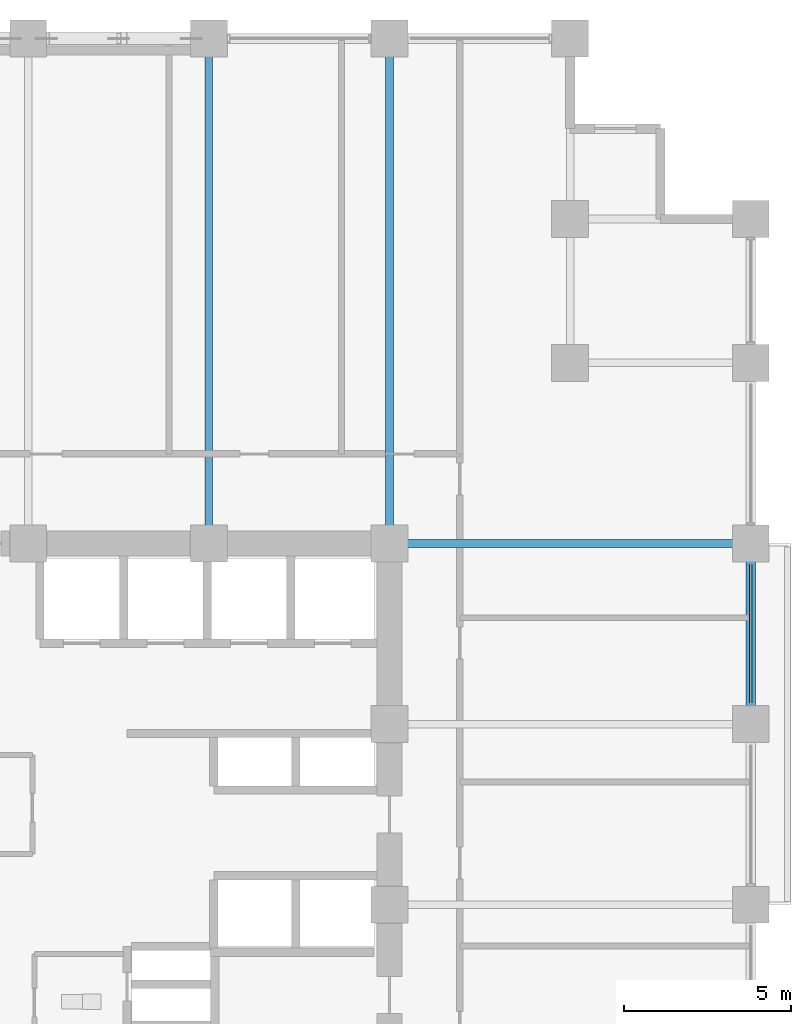
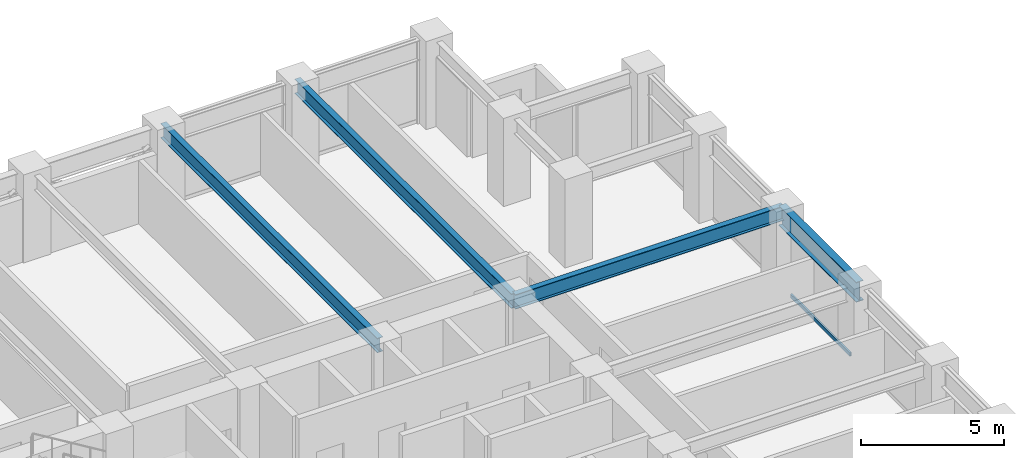
# One storey, part 14 of 24: 4 beams, 1 member, 1 element without a shape of its own.
"""IFC4 building model written with IfcOpenShell, lengths in metres."""

from ifc_helpers import new_model, si_unit, direction, frame, origin, origin_2d, place, context, subcontext, project, spatial, hollow_rectangle, i_section, extrude, material, layer, layer_set, material_profile, profile_set, type_object, element, aggregate, save


model = new_model("IFC4")

# Units and contexts
model_context = context("Model", 3, precision=1e-05, world=origin(), true_north=direction((0.0, 1.0)))
body_context = subcontext(model_context, "Body", "Model", "MODEL_VIEW")
ifc_project = project(units=[si_unit("LENGTHUNIT", "METRE"), si_unit("AREAUNIT", "SQUARE_METRE"), si_unit("VOLUMEUNIT", "CUBIC_METRE"), si_unit("PLANEANGLEUNIT", "RADIAN"), si_unit("MASSUNIT", "GRAM", prefix="KILO")], contexts=[model_context])

# Site, building, storey
site_placement = place(None, origin())
site = spatial("IfcSite", under=ifc_project, at=site_placement, CompositionType="ELEMENT")
building_placement = place(site_placement, origin())
building = spatial("IfcBuilding", under=site, at=building_placement, Name="Surkhivell Harbour Commons", CompositionType="ELEMENT")
storey_placement = place(building_placement, frame((0.0, 0.0, 105.75)))
storey = spatial("IfcBuildingStorey", under=building, at=storey_placement, Name="L27", CompositionType="ELEMENT", Elevation=105.75)

# Beams
ifc_material_1 = material(Name="Steel S355", Category="steel")
ifc_material_profile_1 = material_profile(ifc_material_1, i_section(OverallWidth=0.22998046875, OverallDepth=0.616943359375, WebThickness=0.01318359375, FlangeThickness=0.022216796875, at=origin_2d()), Name="UB610x229x140")
ifc_profile_set_1 = profile_set([ifc_material_profile_1], Name="Steel S355")
beam_type_1 = type_object("IfcBeamType", Name="BM-GRD-610B", PredefinedType="BEAM", material=ifc_profile_set_1)
for number, where, z_axis, x_axis, name in (
    (1, (5.39990234375, 10.800048828125, 3.261474609375), (0.0, 1.0, 0.0), (-1.0, 0.0, 0.0), "L27 Floor Girder (5.4,10.8)"),
    (2, (10.800048828125, 10.800048828125, 3.261474609375), (0.0, 1.0, 0.0), (-1.0, 0.0, 0.0), "L27 Floor Girder (10.8,10.8)"),
):
    element("IfcBeam", number, at=place(storey_placement, frame(where, z_axis=z_axis, x_axis=x_axis)), inside=storey, type_object=beam_type_1, Name=name, PredefinedType="BEAM", context=body_context, shape_type="SweptSolid", body=[
        extrude(i_section(OverallWidth=0.22998046875, OverallDepth=0.616943359375, WebThickness=0.01318359375, FlangeThickness=0.022216796875, at=origin_2d()), origin(), (0.0, 0.0, 1.0), 15.099853515625),
    ])
beam_1_placement = place(storey_placement, frame((10.800048828125, 10.800048828125, 3.261474609375), z_axis=(1.0, 0.0, 0.0), x_axis=(0.0, 1.0, 0.0)))
element("IfcBeam", 3, at=beam_1_placement, inside=storey, type_object=beam_type_1, Name="L27 Floor Girder (10.8,10.8)", PredefinedType="BEAM", context=body_context, shape_type="SweptSolid", body=[
    extrude(i_section(OverallWidth=0.22998046875, OverallDepth=0.616943359375, WebThickness=0.01318359375, FlangeThickness=0.022216796875, at=origin_2d()), origin(), (0.0, 0.0, 1.0), 10.800048828125),
])
ifc_material_2 = material(Name="Steel S460", Category="steel")
ifc_material_profile_2 = material_profile(ifc_material_2, i_section(OverallWidth=0.2939453125, OverallDepth=0.85107421875, WebThickness=0.01611328125, FlangeThickness=0.02685546875, at=origin_2d()), Name="UB838x292x226")
ifc_profile_set_2 = profile_set([ifc_material_profile_2], Name="Steel S460")
beam_type_2 = type_object("IfcBeamType", Name="BM-SPN-838", PredefinedType="SPANDREL", material=ifc_profile_set_2)
beam_2_placement = place(storey_placement, frame((21.60009765625, 5.39990234375, 3.14453125), z_axis=(0.0, 1.0, 0.0), x_axis=(-1.0, 0.0, 0.0)))
element("IfcBeam", 4, at=beam_2_placement, inside=storey, type_object=beam_type_2, Name="L27 Tube Spandrel (21.6,5.4)", PredefinedType="SPANDREL", context=body_context, shape_type="SweptSolid", body=[
    extrude(i_section(OverallWidth=0.2939453125, OverallDepth=0.85107421875, WebThickness=0.01611328125, FlangeThickness=0.02685546875, at=origin_2d()), origin(), (0.0, 0.0, 1.0), 5.400146484375),
])

# Curtain wall, member
ifc_material_3 = material(Name="Anodised pale-metal aluminium and insulated glazing", Category="aluminium")
ifc_layer = layer(ifc_material_3, 0.205078125)
ifc_layer_set = layer_set([ifc_layer], Name="Anodised pale-metal aluminium and insulated glazing")
curtain_wall_type = type_object("IfcCurtainWallType", Name="CW-SYS-Z2", PredefinedType="NOTDEFINED", material=ifc_layer_set)
curtain_wall_placement = place(storey_placement, origin())
curtain_wall = element("IfcCurtainWall", 5, at=curtain_wall_placement, inside=storey, type_object=curtain_wall_type, Name="L27 Curtain Wall CW-L27-E02", PredefinedType="NOTDEFINED")
ifc_material_4 = material(Name="Anodised pale-metal aluminium alloy 6063-T6", Category="aluminium")
ifc_material_profile_3 = material_profile(ifc_material_4, hollow_rectangle(XDim=0.074951171875, YDim=0.14990234375, WallThickness=0.00341796875, at=origin_2d()), Name="ALU-TRAN-75x150")
ifc_profile_set_3 = profile_set([ifc_material_profile_3], Name="Anodised pale-metal aluminium alloy 6063-T6")
member_type = type_object("IfcMemberType", Name="CWT-150", PredefinedType="USERDEFINED", material=ifc_profile_set_3)
member_placement = place(storey_placement, frame((21.60009765625, 6.027099609375, 0.074951171875), z_axis=(0.0, 1.0, 0.0), x_axis=(-1.0, 0.0, 0.0)))
member = element("IfcMember", 6, at=member_placement, type_object=member_type, Name="CW-Z2 transom 3.1", ObjectType="TRANSOM", PredefinedType="USERDEFINED", context=body_context, shape_type="SweptSolid", body=[
    extrude(hollow_rectangle(XDim=0.074951171875, YDim=0.14990234375, WallThickness=0.00341796875, at=origin_2d()), origin(), (0.0, 0.0, 1.0), 4.14599609375),
])
aggregate(curtain_wall, [member])

save(model, "model.ifc")
